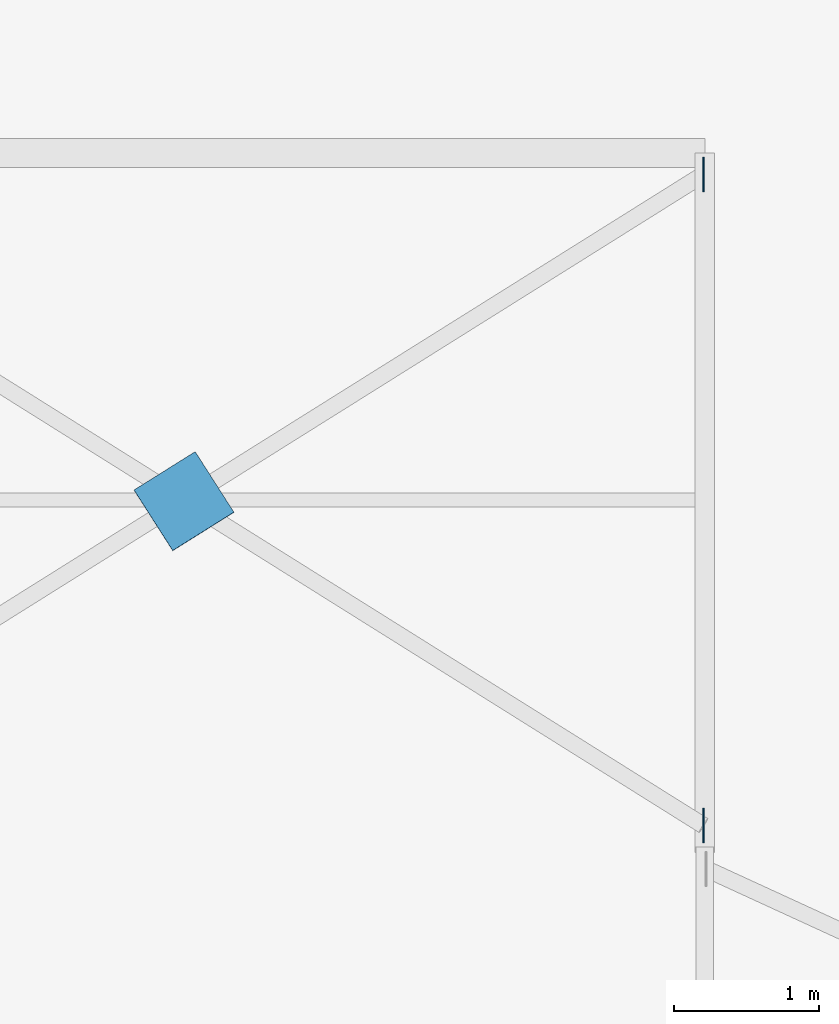
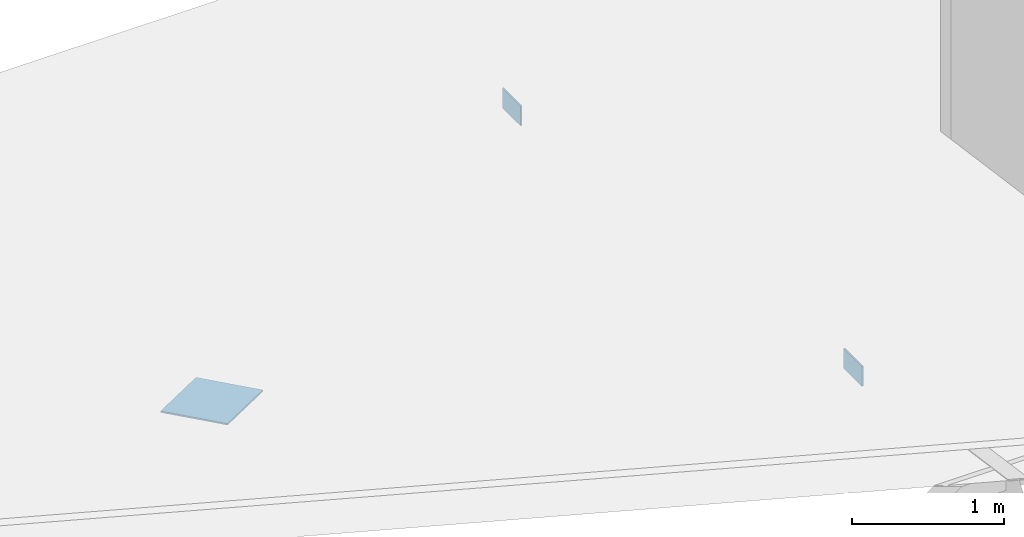
# One storey, part 11 of 24: 3 discrete accessories.
"""IFC4 building model written with IfcOpenShell, lengths in metres."""

from ifc_helpers import new_model, si_unit, direction, frame, origin, origin_2d, place, context, subcontext, project, spatial, rectangle, extrude, material, material_profile, profile_set, type_object, element, save


model = new_model("IFC4")

# Units and contexts
model_context = context("Model", 3, precision=1e-05, world=origin(), true_north=direction((0.0, 1.0)))
body_context = subcontext(model_context, "Body", "Model", "MODEL_VIEW")
ifc_project = project(units=[si_unit("LENGTHUNIT", "METRE"), si_unit("AREAUNIT", "SQUARE_METRE"), si_unit("VOLUMEUNIT", "CUBIC_METRE"), si_unit("PLANEANGLEUNIT", "RADIAN"), si_unit("MASSUNIT", "GRAM", prefix="KILO")], contexts=[model_context])

# Site, building, storey
site_placement = place(None, origin())
site = spatial("IfcSite", under=ifc_project, at=site_placement, CompositionType="ELEMENT")
building_placement = place(site_placement, origin())
building = spatial("IfcBuilding", under=site, at=building_placement, Name="Ussher Court Research Institute", CompositionType="ELEMENT")
storey_placement = place(building_placement, frame((0.0, 0.0, 32.39990234375)))
storey = spatial("IfcBuildingStorey", under=building, at=storey_placement, Name="L07", CompositionType="ELEMENT", Elevation=32.39990234375)

# Discrete accessories
ifc_material_1 = material(Name="Steel S355", Category="steel")
ifc_material_profile_1 = material_profile(ifc_material_1, rectangle(XDim=0.011962890625, YDim=0.239990234375, at=origin_2d()), Name="PL 12x240")
ifc_profile_set_1 = profile_set([ifc_material_profile_1], Name="Steel S355")
discrete_accessory_type_1 = type_object("IfcDiscreteAccessoryType", Name="End plate 12 mm", PredefinedType="ANCHORPLATE", material=ifc_profile_set_1)
for number, where, z_axis, x_axis, name in (
    (1, (38.99072265625, 87.85009765625, -0.10498046875), (0.0, 0.0, 1.0), (1.0, 0.0, 0.0), "GP2 V5 L07-46"),
    (2, (38.99072265625, 83.35009765625, 0.527587890625), (0.0, 0.0, 1.0), (1.0, 0.0, 0.0), "GP2 V5 L07-48"),
):
    element("IfcDiscreteAccessory", number, at=place(storey_placement, frame(where, z_axis=z_axis, x_axis=x_axis)), inside=storey, type_object=discrete_accessory_type_1, Name=name, PredefinedType="ANCHORPLATE", context=body_context, shape_type="SweptSolid", body=[
        extrude(rectangle(XDim=0.011962890625, YDim=0.239990234375, at=origin_2d()), origin(), (0.0, 0.0, 1.0), 0.159912109375),
    ])
ifc_material_2 = material(Name="Steel S355", Category="steel")
ifc_material_profile_2 = material_profile(ifc_material_2, rectangle(XDim=0.5, YDim=0.011962890625, at=origin_2d()), Name="PL 500x12")
ifc_profile_set_2 = profile_set([ifc_material_profile_2], Name="Steel S355")
discrete_accessory_type_2 = type_object("IfcDiscreteAccessoryType", Name="Gusset plate 12 mm", PredefinedType="ANCHORPLATE", material=ifc_profile_set_2)
discrete_accessory_placement = place(storey_placement, frame((35.188720703125, 85.459228515625, 0.25048828125), z_axis=(0.844943835821, 0.52961528704, -0.074683077343), x_axis=(0.534855001432, -0.836719553262, 0.117603216926)))
element("IfcDiscreteAccessory", 3, at=discrete_accessory_placement, inside=storey, type_object=discrete_accessory_type_2, Name="GP1 V5 L07-12", PredefinedType="ANCHORPLATE", context=body_context, shape_type="SweptSolid", body=[
    extrude(rectangle(XDim=0.5, YDim=0.011962890625, at=origin_2d()), origin(), (0.0, 0.0, 1.0), 0.500244140625),
])

save(model, "model.ifc")
